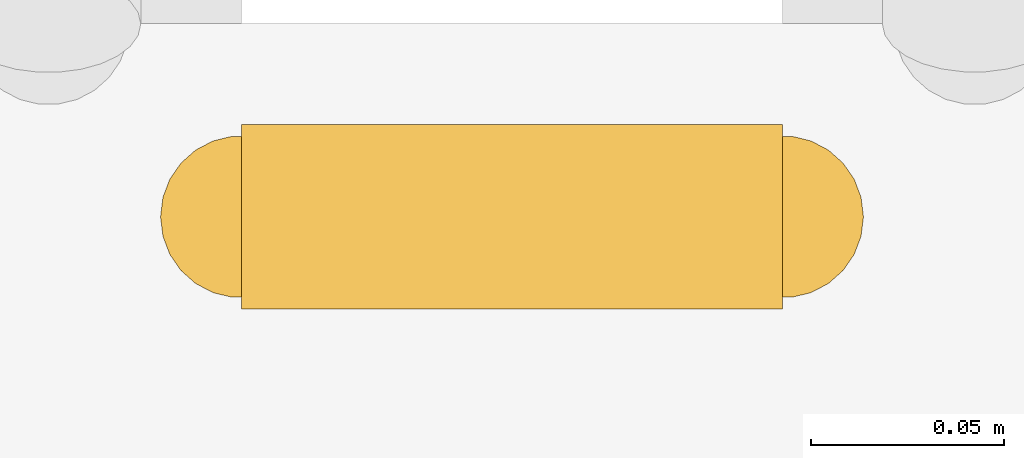
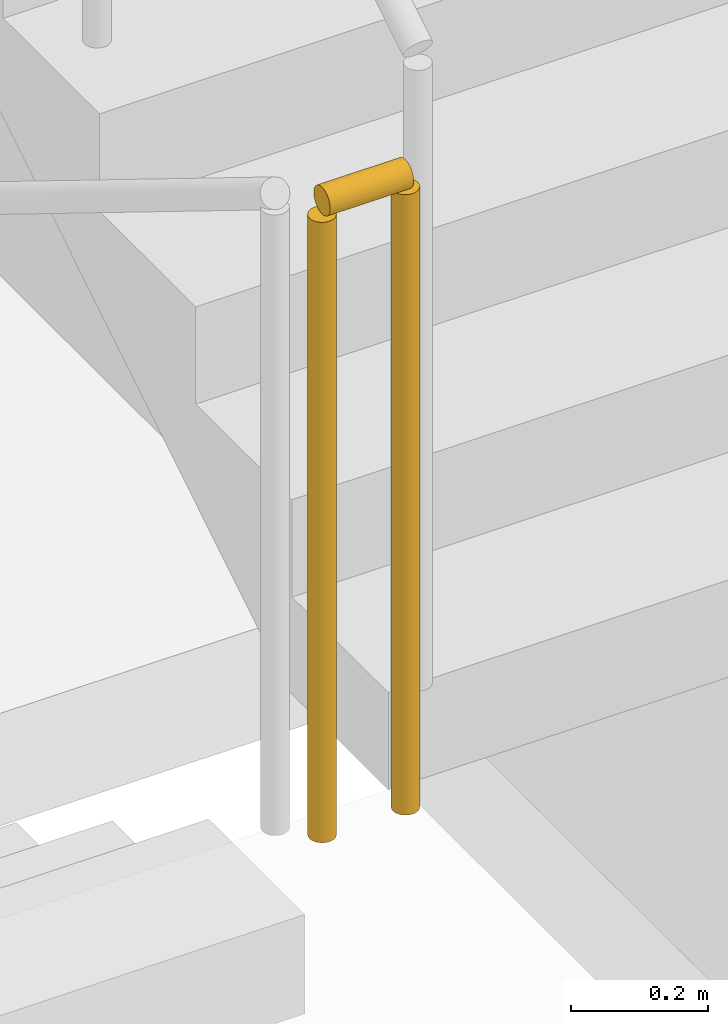
# One storey, part 15 of 20: 1 railing.
"""IFC4 building model written with IfcOpenShell, lengths in metres."""

from ifc_helpers import new_model, si_unit, direction, frame, origin, origin_2d, place, context, subcontext, project, spatial, circle, extrude, material, type_object, element, save


model = new_model("IFC4")

# Units and contexts
model_context = context("Model", 3, precision=1e-05, world=origin(), true_north=direction((0.0, 1.0)))
body_context = subcontext(model_context, "Body", "Model", "MODEL_VIEW")
ifc_project = project(units=[si_unit("LENGTHUNIT", "METRE"), si_unit("AREAUNIT", "SQUARE_METRE"), si_unit("VOLUMEUNIT", "CUBIC_METRE"), si_unit("PLANEANGLEUNIT", "RADIAN"), si_unit("MASSUNIT", "GRAM", prefix="KILO")], contexts=[model_context])

# Site, building, storey
site_placement = place(None, origin())
site = spatial("IfcSite", under=ifc_project, at=site_placement, CompositionType="ELEMENT")
building_placement = place(site_placement, origin())
building = spatial("IfcBuilding", under=site, at=building_placement, Name="Haolan Belvedere Tower", CompositionType="ELEMENT")
storey_placement = place(building_placement, frame((0.0, 0.0, 24.0)))
storey = spatial("IfcBuildingStorey", under=building, at=storey_placement, Name="L05", CompositionType="ELEMENT", Elevation=24.0)

# Railing
ifc_material = material(Name="Brushed stainless steel 304", Category="steel")
railing_type = type_object("IfcRailingType", Name="RL-STAIR-GRD-1150", PredefinedType="GUARDRAIL", material=ifc_material)
railing_placement = place(storey_placement, frame((31.969970703125, 38.3798828125, 1.89990234375)))
element("IfcRailing", 1, at=railing_placement, inside=storey, type_object=railing_type, Name="L05 ST1 stair guard 2", PredefinedType="GUARDRAIL", context=body_context, shape_type="SweptSolid", body=[
    extrude(circle(Radius=0.02392578125, at=origin_2d()), frame((0.0, 0.0, 1.1259765625), z_axis=(1.0, 0.0, 0.0), x_axis=(0.0, 1.0, 0.0)), (0.0, 0.0, 1.0), 0.14013671875),
    extrude(circle(Radius=0.02099609375, at=origin_2d()), origin(), (0.0, 0.0, 1.0), 1.101806640625),
    extrude(circle(Radius=0.02099609375, at=origin_2d()), frame((0.14013671875, 0.0, 0.0)), (0.0, 0.0, 1.0), 1.101806640625),
])

save(model, "model.ifc")
